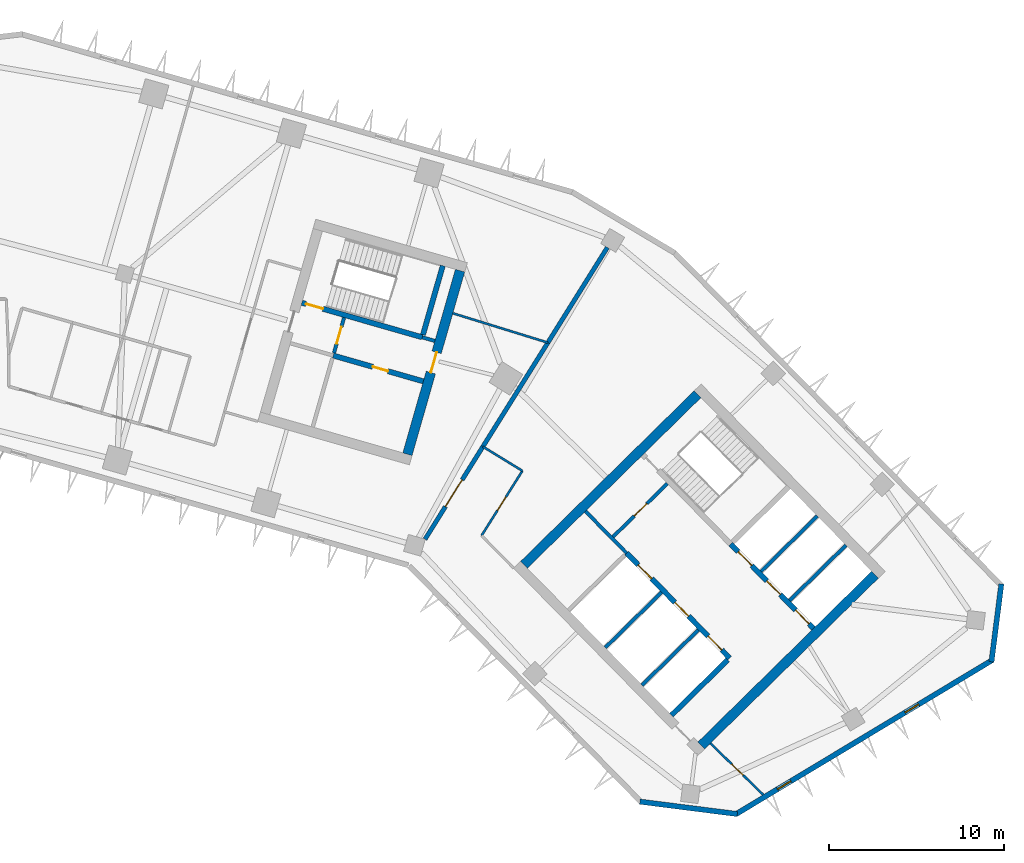
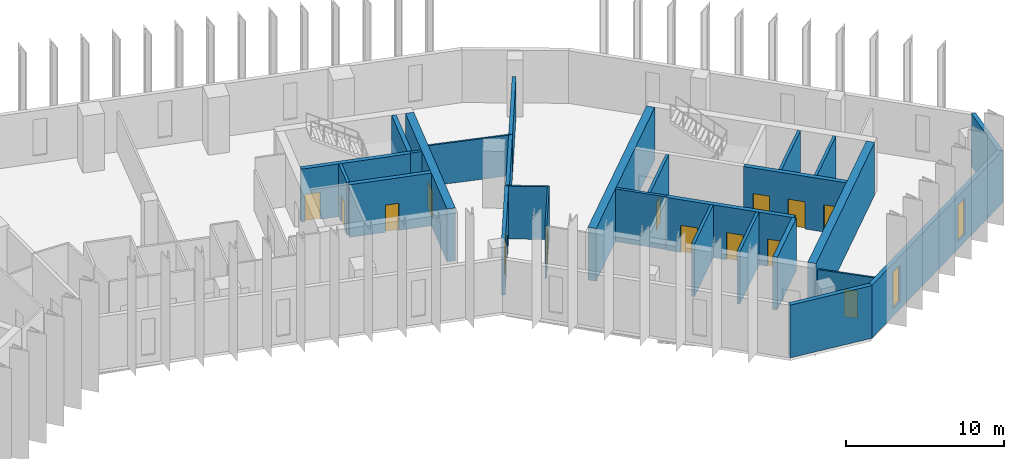
# One storey, part 6 of 11: 27 walls, 14 doors, 2 windows, 16 openings.
"""IFC4 building model written with IfcOpenShell, lengths in metres."""

import ifcopenshell
import ifcopenshell.guid

model = None  # the IFC model being written
_history = None  # IfcOwnerHistory: only IFC2X3 demands one
_inside = {}  # id of a spatial element -> (the spatial element, [elements in it])
_under = {}  # id of a project, library or spatial element -> (it, [spatial elements below it])
_declared = {}  # id of a project -> (the project, [libraries it declares])
_typed = {}  # id of a type object -> (the type object, [elements of that type])
_made_of = {}  # id of a material, layer set ... -> (it, [elements and type objects made of it])


def new_model(schema):
    """Start an empty IFC model of exactly this schema.

    Asked for "IFC4X3", IfcOpenShell would pick the latest addendum, in which some entities
    have other attributes; the version numbers below select the first issue.
    IFC2X3 requires an IfcOwnerHistory on every rooted entity: one is made here for all.
    """
    global model, _history
    if schema == "IFC4X3":
        model = ifcopenshell.file(schema_version=(4, 3, 0, 0))
    else:
        model = ifcopenshell.file(schema=schema)
    _inside.clear()
    _under.clear()
    _declared.clear()
    _typed.clear()
    _made_of.clear()
    _history = None
    if model.schema == "IFC2X3":
        org = make("IfcOrganization", Name="unknown")
        user = make(
            "IfcPersonAndOrganization",
            ThePerson=make("IfcPerson", FamilyName="unknown"),
            TheOrganization=org,
        )
        app = make(
            "IfcApplication",
            ApplicationDeveloper=org,
            Version="unknown",
            ApplicationFullName="unknown",
            ApplicationIdentifier="unknown",
        )
        _history = make(
            "IfcOwnerHistory",
            OwningUser=user,
            OwningApplication=app,
            ChangeAction="ADDED",
            CreationDate=0,
        )
    return model


def make(cls, **values):
    """One entity of the class cls with the attributes given. An attribute that is None is left unset."""
    return model.create_entity(
        cls, **{name: value for name, value in values.items() if value is not None}
    )


def rooted(cls, **values):
    """An entity with a GlobalId (a new one), such as an element, a storey or a relation."""
    return make(cls, GlobalId=ifcopenshell.guid.new(), OwnerHistory=_history, **values)


def si_unit(unit_type, name, prefix=None):
    """IfcSIUnit, for example si_unit("LENGTHUNIT", "METRE", prefix="MILLI")."""
    return make("IfcSIUnit", UnitType=unit_type, Prefix=prefix, Name=name)


def assignment(units):
    """IfcUnitAssignment: the units of a project."""
    return None if units is None else make("IfcUnitAssignment", Units=units)


def point(xyz):
    """IfcCartesianPoint."""
    return None if xyz is None else make("IfcCartesianPoint", Coordinates=xyz)


def direction(xyz):
    """IfcDirection."""
    return None if xyz is None else make("IfcDirection", DirectionRatios=xyz)


def frame(location, z_axis=None, x_axis=None):
    """IfcAxis2Placement3D, a coordinate frame: its origin and axes. An axis left out is left unset."""
    return make(
        "IfcAxis2Placement3D",
        Location=point(location),
        Axis=direction(z_axis),
        RefDirection=direction(x_axis),
    )


def frame_2d(location, x_axis=None):
    """IfcAxis2Placement2D, a coordinate frame in the plane: its origin and x axis."""
    return make(
        "IfcAxis2Placement2D", Location=point(location), RefDirection=direction(x_axis)
    )


def origin():
    """The frame at (0, 0, 0) with its axes left unset."""
    return frame((0.0, 0.0, 0.0))


def place(relative_to, where):
    """IfcLocalPlacement: puts the frame where relative to a parent placement (None: the world)."""
    return make(
        "IfcLocalPlacement", PlacementRelTo=relative_to, RelativePlacement=where
    )


def context(
    kind, dimensions, precision=None, world=None, true_north=None, identifier=None
):
    """IfcGeometricRepresentationContext, for example the 3D "Model" context."""
    return make(
        "IfcGeometricRepresentationContext",
        ContextIdentifier=identifier,
        ContextType=kind,
        CoordinateSpaceDimension=dimensions,
        Precision=precision,
        WorldCoordinateSystem=world,
        TrueNorth=true_north,
    )


def subcontext(parent, identifier, kind, view, scale=None):
    """IfcGeometricRepresentationSubContext, for example "Body" below "Model"."""
    return make(
        "IfcGeometricRepresentationSubContext",
        ContextIdentifier=identifier,
        ContextType=kind,
        ParentContext=parent,
        TargetScale=scale,
        TargetView=view,
    )


def project(units=None, contexts=None):
    """IfcProject with its units and contexts."""
    return rooted(
        "IfcProject",
        Name="project",
        RepresentationContexts=contexts,
        UnitsInContext=assignment(units),
    )


def spatial(cls, under=None, at=None, **own):
    """A site, building, storey or space (cls), placed at a placement, below another one or the project."""
    s = rooted(cls, ObjectPlacement=at, **own)
    if under is not None:
        _under.setdefault(under.id(), (under, []))[1].append(s)
    return s


def profile(cls, at=None, kind="AREA", **sizes):
    """A parametric profile (cls). Its sizes go by their IFC names, for example OverallWidth=200.0."""
    return make(cls, ProfileType=kind, Position=at, **sizes)


def rectangle(**sizes):
    """IfcRectangleProfileDef."""
    return profile("IfcRectangleProfileDef", **sizes)


def extrude(swept, where, along, depth):
    """IfcExtrudedAreaSolid: the profile swept, set in the frame where, extruded along a direction by depth."""
    return make(
        "IfcExtrudedAreaSolid",
        SweptArea=swept,
        Position=where,
        ExtrudedDirection=direction(along),
        Depth=depth,
    )


def shape(context_of_items, identifier, shape_type, items):
    """IfcShapeRepresentation: the items that make up one representation, for example the "Body"."""
    return make(
        "IfcShapeRepresentation",
        ContextOfItems=context_of_items,
        RepresentationIdentifier=identifier,
        RepresentationType=shape_type,
        Items=items,
    )


def material(Name=None, Category=None):
    """IfcMaterial."""
    return make("IfcMaterial", Name=Name, Category=Category)


def layer(
    of_material, thickness, ventilated=None, Name=None, Category=None, Priority=None
):
    """IfcMaterialLayer: one layer of a wall or slab, of a material (None: an air gap)."""
    return make(
        "IfcMaterialLayer",
        Material=of_material,
        LayerThickness=thickness,
        IsVentilated=ventilated,
        Name=Name,
        Category=Category,
        Priority=Priority,
    )


def layer_set(layers, Name=None):
    """IfcMaterialLayerSet."""
    return make("IfcMaterialLayerSet", MaterialLayers=layers, LayerSetName=Name)


def made_of(thing, what):
    """Note that an element or type object is made of a material, layer set ...; save() writes the relation."""
    if what is not None:
        _made_of.setdefault(what.id(), (what, []))[1].append(thing)
    return thing


def type_object(cls, material=None, **own):
    """A type object (cls), such as IfcWallType, which elements share."""
    return made_of(rooted(cls, **own), material)


def element(
    cls,
    number,
    at=None,
    inside=None,
    cuts=None,
    type_object=None,
    material=None,
    context=None,
    identifier="Body",
    shape_type=None,
    held_by="IfcProductDefinitionShape",
    body=None,
    shapes=None,
    **own,
):
    """One element of the class cls, such as IfcWall. Its Tag is "e" and its number.

    at: its placement. inside: the storey or other place that contains it. cuts: it is an
    opening in that element (IfcRelVoidsElement). A single representation is given by context,
    identifier, shape_type and body (its items); several are given by shapes. held_by: the class
    of the entity that holds the representations. save() writes the other relations.
    """
    e = rooted(cls, Tag="e%d" % number, ObjectPlacement=at, **own)
    if body is not None:
        shapes = [shape(context, identifier, shape_type, body)]
    if shapes is not None:
        e.Representation = make(held_by, Representations=shapes)
    if inside is not None:
        _inside.setdefault(inside.id(), (inside, []))[1].append(e)
    if cuts is not None:
        rooted(
            "IfcRelVoidsElement", RelatingBuildingElement=cuts, RelatedOpeningElement=e
        )
    if type_object is not None:
        _typed.setdefault(type_object.id(), (type_object, []))[1].append(e)
    return made_of(e, material)


def fill(opening, filler):
    """IfcRelFillsElement: the door or window that sits in an opening."""
    return rooted(
        "IfcRelFillsElement",
        RelatingOpeningElement=opening,
        RelatedBuildingElement=filler,
    )


def aggregate(whole, parts):
    """IfcRelAggregates: a whole, such as a stair, and the parts it consists of."""
    return rooted("IfcRelAggregates", RelatingObject=whole, RelatedObjects=parts)


def save(model, path):
    """Write the relations noted so far, then the file.

    IfcRelAggregates (storeys below a building ...), IfcRelContainedInSpatialStructure (elements
    in a storey), IfcRelDefinesByType, IfcRelAssociatesMaterial and IfcRelDeclares: one each for
    every whole, place, type object, material and project.
    """
    for whole, parts in _under.values():
        aggregate(whole, parts)
    for where, things in _inside.values():
        rooted(
            "IfcRelContainedInSpatialStructure",
            RelatedElements=things,
            RelatingStructure=where,
        )
    for kind, things in _typed.values():
        rooted("IfcRelDefinesByType", RelatedObjects=things, RelatingType=kind)
    for what, things in _made_of.values():
        rooted("IfcRelAssociatesMaterial", RelatedObjects=things, RelatingMaterial=what)
    for by, libraries in _declared.values():
        rooted("IfcRelDeclares", RelatingContext=by, RelatedDefinitions=libraries)
    model.write(path)


model = new_model("IFC4")

# Units and contexts
model_context = context("Model", 3, precision=1e-05, world=origin(), true_north=direction((0.0, 1.0)))
body_context = subcontext(model_context, "Body", "Model", "MODEL_VIEW")
ifc_project = project(units=[si_unit("LENGTHUNIT", "METRE"), si_unit("AREAUNIT", "SQUARE_METRE"), si_unit("VOLUMEUNIT", "CUBIC_METRE"), si_unit("PLANEANGLEUNIT", "RADIAN"), si_unit("MASSUNIT", "GRAM", prefix="KILO")], contexts=[model_context])

# Site, building, storey
site_placement = place(None, origin())
site = spatial("IfcSite", under=ifc_project, at=site_placement, CompositionType="ELEMENT")
building_placement = place(site_placement, origin())
building = spatial("IfcBuilding", under=site, at=building_placement, Name="Binnacle Exchange Tower", CompositionType="ELEMENT")
storey_placement = place(building_placement, frame((0.0, 0.0, 141.10009765625)))
storey = spatial("IfcBuildingStorey", under=building, at=storey_placement, Name="L29", CompositionType="ELEMENT", Elevation=141.10009765625)

# Wall, openings, doors
ifc_material_1 = material(Name="Concrete C70/85", Category="concrete")
ifc_layer_1 = layer(ifc_material_1, 0.300048828125)
ifc_layer_set_1 = layer_set([ifc_layer_1], Name="Core wall - front 300")
wall_type_1 = type_object("IfcWallType", Name="Core wall - front 300", PredefinedType="SOLIDWALL", material=ifc_layer_set_1)
wall_1_placement = place(storey_placement, frame((37.8740234375, 41.41552734375, 0.0), z_axis=(0.0, 0.0, 1.0), x_axis=(0.700918271237, -0.71324159795, 0.0)))
wall_1 = element("IfcWall", 1, at=wall_1_placement, inside=storey, type_object=wall_type_1, Name="Core wall CRWB3", PredefinedType="SOLIDWALL", context=body_context, shape_type="SweptSolid", body=[
    extrude(rectangle(XDim=8.39990234375, YDim=0.300048828125, at=frame_2d((4.199951171875, 0.0))), origin(), (0.0, 0.0, 1.0), 4.079833984375),
])
opening_1_placement = place(wall_1_placement, frame((0.949951171875, 0.0, 0.0)))
opening_1 = element("IfcOpeningElement", 2, at=opening_1_placement, cuts=wall_1, Name="Opening LD15", PredefinedType="OPENING", context=body_context, shape_type="SweptSolid", body=[
    extrude(rectangle(XDim=1.10009765625, YDim=2.10009765625, at=frame_2d((0.550048828125, 1.050048828125))), frame((0.0, 0.159912109375, 0.0), z_axis=(0.0, -1.0, 0.0), x_axis=(1.0, 0.0, 0.0)), (0.0, 0.0, 1.0), 0.320068359375),
])
opening_2_placement = place(wall_1_placement, frame((3.949951171875, 0.0, 0.0)))
opening_2 = element("IfcOpeningElement", 3, at=opening_2_placement, cuts=wall_1, Name="Opening LD16", PredefinedType="OPENING", context=body_context, shape_type="SweptSolid", body=[
    extrude(rectangle(XDim=1.10009765625, YDim=2.10009765625, at=frame_2d((0.550048828125, 1.050048828125))), frame((0.0, 0.159912109375, 0.0), z_axis=(0.0, -1.0, 0.0), x_axis=(1.0, 0.0, 0.0)), (0.0, 0.0, 1.0), 0.320068359375),
])
opening_3_placement = place(wall_1_placement, frame((6.64990234375, 0.0, 0.0)))
opening_3 = element("IfcOpeningElement", 4, at=opening_3_placement, cuts=wall_1, Name="Opening LD4", PredefinedType="OPENING", context=body_context, shape_type="SweptSolid", body=[
    extrude(rectangle(XDim=1.10009765625, YDim=2.10009765625, at=frame_2d((0.550048828125, 1.050048828125))), frame((0.0, 0.159912109375, 0.0), z_axis=(0.0, -1.0, 0.0), x_axis=(1.0, 0.0, 0.0)), (0.0, 0.0, 1.0), 0.320068359375),
])
ifc_material_2 = material(Name="Steel door leaf", Category="steel")
door_type_1 = type_object("IfcDoorType", Name="Fire door - lift landing 1100", OperationType="NOTDEFINED", PredefinedType="DOOR", material=ifc_material_2)
door_1_placement = place(opening_1_placement, origin())
door_1 = element("IfcDoor", 5, at=door_1_placement, inside=storey, type_object=door_type_1, Name="Landing door LD15 L29", OperationType="DOUBLE_DOOR_SLIDING", OverallHeight=2.10009765625, OverallWidth=1.10009765625, PredefinedType="DOOR", context=body_context, shape_type="SweptSolid", body=[
    extrude(rectangle(XDim=1.10009765625, YDim=2.10009765625, at=frame_2d((0.550048828125, 1.050048828125))), frame((0.0, 0.02490234375, 0.0), z_axis=(0.0, -1.0, 0.0), x_axis=(1.0, 0.0, 0.0)), (0.0, 0.0, 1.0), 0.050048828125),
])
fill(opening_1, door_1)
door_2_placement = place(opening_2_placement, origin())
door_2 = element("IfcDoor", 6, at=door_2_placement, inside=storey, type_object=door_type_1, Name="Landing door LD16 L29", OperationType="DOUBLE_DOOR_SLIDING", OverallHeight=2.10009765625, OverallWidth=1.10009765625, PredefinedType="DOOR", context=body_context, shape_type="SweptSolid", body=[
    extrude(rectangle(XDim=1.10009765625, YDim=2.10009765625, at=frame_2d((0.550048828125, 1.050048828125))), frame((0.0, 0.02490234375, 0.0), z_axis=(0.0, -1.0, 0.0), x_axis=(1.0, 0.0, 0.0)), (0.0, 0.0, 1.0), 0.050048828125),
])
fill(opening_2, door_2)
door_3_placement = place(opening_3_placement, origin())
door_3 = element("IfcDoor", 7, at=door_3_placement, inside=storey, type_object=door_type_1, Name="Landing door LD4 L29", OperationType="DOUBLE_DOOR_SLIDING", OverallHeight=2.10009765625, OverallWidth=1.10009765625, PredefinedType="DOOR", context=body_context, shape_type="SweptSolid", body=[
    extrude(rectangle(XDim=1.10009765625, YDim=2.10009765625, at=frame_2d((0.550048828125, 1.050048828125))), frame((0.0, 0.02490234375, 0.0), z_axis=(0.0, -1.0, 0.0), x_axis=(1.0, 0.0, 0.0)), (0.0, 0.0, 1.0), 0.050048828125),
])
fill(opening_3, door_3)

wall_2_placement = place(storey_placement, frame((43.818603515625, 41.92919921875, 0.0), z_axis=(0.0, 0.0, 1.0), x_axis=(0.700931209592, -0.713228882912, 0.0)))
wall_2 = element("IfcWall", 8, at=wall_2_placement, inside=storey, type_object=wall_type_1, Name="Core wall CRWB5", PredefinedType="SOLIDWALL", context=body_context, shape_type="SweptSolid", body=[
    extrude(rectangle(XDim=6.75, YDim=0.300048828125, at=frame_2d((3.375, 0.0))), origin(), (0.0, 0.0, 1.0), 4.079833984375),
])
opening_4_placement = place(wall_2_placement, frame((0.614990234375, 0.0, 0.0)))
opening_4 = element("IfcOpeningElement", 9, at=opening_4_placement, cuts=wall_2, Name="Opening LD1", PredefinedType="OPENING", context=body_context, shape_type="SweptSolid", body=[
    extrude(rectangle(XDim=1.10009765625, YDim=2.10009765625, at=frame_2d((0.550048828125, 1.050048828125))), frame((0.0, 0.159912109375, 0.0), z_axis=(0.0, -1.0, 0.0), x_axis=(1.0, 0.0, 0.0)), (0.0, 0.0, 1.0), 0.320068359375),
])
opening_5_placement = place(wall_2_placement, frame((2.945068359375, 0.0, 0.0)))
opening_5 = element("IfcOpeningElement", 10, at=opening_5_placement, cuts=wall_2, Name="Opening LD2", PredefinedType="OPENING", context=body_context, shape_type="SweptSolid", body=[
    extrude(rectangle(XDim=1.10009765625, YDim=2.10009765625, at=frame_2d((0.550048828125, 1.050048828125))), frame((0.0, 0.159912109375, 0.0), z_axis=(0.0, -1.0, 0.0), x_axis=(1.0, 0.0, 0.0)), (0.0, 0.0, 1.0), 0.320068359375),
])
opening_6_placement = place(wall_2_placement, frame((5.280029296875, 0.0, 0.0)))
opening_6 = element("IfcOpeningElement", 11, at=opening_6_placement, cuts=wall_2, Name="Opening LD3", PredefinedType="OPENING", context=body_context, shape_type="SweptSolid", body=[
    extrude(rectangle(XDim=1.10009765625, YDim=2.10009765625, at=frame_2d((0.550048828125, 1.050048828125))), frame((0.0, 0.159912109375, 0.0), z_axis=(0.0, -1.0, 0.0), x_axis=(1.0, 0.0, 0.0)), (0.0, 0.0, 1.0), 0.320068359375),
])
door_4_placement = place(opening_4_placement, origin())
door_4 = element("IfcDoor", 12, at=door_4_placement, inside=storey, type_object=door_type_1, Name="Landing door LD1 L29", OperationType="DOUBLE_DOOR_SLIDING", OverallHeight=2.10009765625, OverallWidth=1.10009765625, PredefinedType="DOOR", context=body_context, shape_type="SweptSolid", body=[
    extrude(rectangle(XDim=1.10009765625, YDim=2.10009765625, at=frame_2d((0.550048828125, 1.050048828125))), frame((0.0, 0.02490234375, 0.0), z_axis=(0.0, -1.0, 0.0), x_axis=(1.0, 0.0, 0.0)), (0.0, 0.0, 1.0), 0.050048828125),
])
fill(opening_4, door_4)
door_5_placement = place(opening_5_placement, origin())
door_5 = element("IfcDoor", 13, at=door_5_placement, inside=storey, type_object=door_type_1, Name="Landing door LD2 L29", OperationType="DOUBLE_DOOR_SLIDING", OverallHeight=2.10009765625, OverallWidth=1.10009765625, PredefinedType="DOOR", context=body_context, shape_type="SweptSolid", body=[
    extrude(rectangle(XDim=1.10009765625, YDim=2.10009765625, at=frame_2d((0.550048828125, 1.050048828125))), frame((0.0, 0.02490234375, 0.0), z_axis=(0.0, -1.0, 0.0), x_axis=(1.0, 0.0, 0.0)), (0.0, 0.0, 1.0), 0.050048828125),
])
fill(opening_5, door_5)
door_6_placement = place(opening_6_placement, origin())
door_6 = element("IfcDoor", 14, at=door_6_placement, inside=storey, type_object=door_type_1, Name="Landing door LD3 L29", OperationType="DOUBLE_DOOR_SLIDING", OverallHeight=2.10009765625, OverallWidth=1.10009765625, PredefinedType="DOOR", context=body_context, shape_type="SweptSolid", body=[
    extrude(rectangle(XDim=1.10009765625, YDim=2.10009765625, at=frame_2d((0.550048828125, 1.050048828125))), frame((0.0, 0.02490234375, 0.0), z_axis=(0.0, -1.0, 0.0), x_axis=(1.0, 0.0, 0.0)), (0.0, 0.0, 1.0), 0.050048828125),
])
fill(opening_6, door_6)

# Wall
wall_3_placement = place(storey_placement, frame((40.445068359375, 32.1650390625, 0.0), z_axis=(0.0, 0.0, 1.0), x_axis=(0.713264577552, 0.700894886848, 0.0)))
element("IfcWall", 15, at=wall_3_placement, inside=storey, type_object=wall_type_1, Name="Core wall CRWB14", PredefinedType="SOLIDWALL", context=body_context, shape_type="SweptSolid", body=[
    extrude(rectangle(XDim=4.5, YDim=0.300048828125, at=frame_2d((2.25, 0.0))), origin(), (0.0, 0.0, 1.0), 4.079833984375),
])

# Wall, opening, door
wall_4_placement = place(storey_placement, frame((21.130859375, 52.6923828125, 0.0), z_axis=(0.0, 0.0, 1.0), x_axis=(0.961265220997, -0.27562506218, 0.0)))
wall_4 = element("IfcWall", 16, at=wall_4_placement, inside=storey, type_object=wall_type_1, Name="Core wall CRWD3", PredefinedType="SOLIDWALL", context=body_context, shape_type="SweptSolid", body=[
    extrude(rectangle(XDim=5.35009765625, YDim=0.300048828125, at=frame_2d((2.675048828125, 0.0))), origin(), (0.0, 0.0, 1.0), 4.079833984375),
])
opening_7_placement = place(wall_4_placement, frame((2.35009765625, 0.0, 0.0)))
opening_7 = element("IfcOpeningElement", 17, at=opening_7_placement, cuts=wall_4, Name="Opening DD10", PredefinedType="OPENING", context=body_context, shape_type="SweptSolid", body=[
    extrude(rectangle(XDim=0.89990234375, YDim=2.10009765625, at=frame_2d((0.449951171875, 1.050048828125))), frame((0.0, 0.159912109375, 0.0), z_axis=(0.0, -1.0, 0.0), x_axis=(1.0, 0.0, 0.0)), (0.0, 0.0, 1.0), 0.320068359375),
])
door_type_2 = type_object("IfcDoorType", Name="Fire door 900", OperationType="NOTDEFINED", PredefinedType="DOOR", material=ifc_material_2)
door_7_placement = place(opening_7_placement, frame((0.89990234375, 0.0, 0.0), z_axis=(0.0, 0.0, 1.0), x_axis=(-1.0, 0.0, 0.0)))
door_7 = element("IfcDoor", 18, at=door_7_placement, inside=storey, type_object=door_type_2, Name="Core room door TELECOM RISER ROOM", OperationType="SINGLE_SWING_LEFT", OverallHeight=2.10009765625, OverallWidth=0.89990234375, PredefinedType="DOOR", context=body_context, shape_type="SweptSolid", body=[
    extrude(rectangle(XDim=0.89990234375, YDim=2.10009765625, at=frame_2d((0.449951171875, 1.050048828125))), frame((0.0, 0.02490234375, 0.0), z_axis=(0.0, -1.0, 0.0), x_axis=(1.0, 0.0, 0.0)), (0.0, 0.0, 1.0), 0.050048828125),
])
fill(opening_7, door_7)

# Walls
ifc_layer_2 = layer(ifc_material_1, 0.550048828125)
ifc_layer_set_2 = layer_set([ifc_layer_2], Name="Core wall - outer 550")
wall_type_2 = type_object("IfcWallType", Name="Core wall - outer 550", PredefinedType="SOLIDWALL", material=ifc_layer_set_2)
for number, where, z_axis, x_axis, name in (
    (19, (32.0166015625, 40.74169921875, 0.0), (0.0, 0.0, 1.0), (0.713253550094, 0.700906108746, 0.0), "Core wall CRWB7"),
    (20, (42.144775390625, 30.435302734375, 0.0), (0.0, 0.0, 1.0), (0.713253550094, 0.700906108746, 0.0), "Core wall CRWB16"),
):
    element("IfcWall", number, at=place(storey_placement, frame(where, z_axis=z_axis, x_axis=x_axis)), inside=storey, type_object=wall_type_2, Name=name, PredefinedType="SOLIDWALL", context=body_context, shape_type="SweptSolid", body=[
        extrude(rectangle(XDim=13.900146484375, YDim=0.550048828125, at=frame_2d((6.9501953125, 0.0))), origin(), (0.0, 0.0, 1.0), 4.079833984375),
    ])

# Wall, opening, door
wall_5_placement = place(storey_placement, frame((25.366455078125, 47.056640625, 0.0), z_axis=(0.0, 0.0, 1.0), x_axis=(0.275632146085, 0.96126318979, 0.0)))
wall_5 = element("IfcWall", 21, at=wall_5_placement, inside=storey, type_object=wall_type_2, Name="Core wall CRWD12", PredefinedType="SOLIDWALL", context=body_context, shape_type="SweptSolid", body=[
    extrude(rectangle(XDim=10.89990234375, YDim=0.550048828125, at=frame_2d((5.449951171875, 0.0))), origin(), (0.0, 0.0, 1.0), 4.079833984375),
])
opening_8_placement = place(wall_5_placement, frame((4.849853515625, 0.0, 0.0)))
opening_8 = element("IfcOpeningElement", 22, at=opening_8_placement, cuts=wall_5, Name="Opening DD6", PredefinedType="OPENING", context=body_context, shape_type="SweptSolid", body=[
    extrude(rectangle(XDim=1.199951171875, YDim=2.10009765625, at=frame_2d((0.60009765625, 1.050048828125))), frame((0.0, 0.284912109375, 0.0), z_axis=(0.0, -1.0, 0.0), x_axis=(1.0, 0.0, 0.0)), (0.0, 0.0, 1.0), 0.570068359375),
])
door_type_3 = type_object("IfcDoorType", Name="Fire door 1200", OperationType="NOTDEFINED", PredefinedType="DOOR", material=ifc_material_2)
door_8_placement = place(opening_8_placement, frame((1.199951171875, 0.0, 0.0), z_axis=(0.0, 0.0, 1.0), x_axis=(-1.0, 0.0, 0.0)))
door_8 = element("IfcDoor", 23, at=door_8_placement, inside=storey, type_object=door_type_3, Name="Core passage exit door", OperationType="SINGLE_SWING_RIGHT", OverallHeight=2.10009765625, OverallWidth=1.199951171875, PredefinedType="DOOR", context=body_context, shape_type="SweptSolid", body=[
    extrude(rectangle(XDim=1.199951171875, YDim=2.10009765625, at=frame_2d((0.60009765625, 1.050048828125))), frame((0.0, 0.02490234375, 0.0), z_axis=(0.0, -1.0, 0.0), x_axis=(1.0, 0.0, 0.0)), (0.0, 0.0, 1.0), 0.050048828125),
])
fill(opening_8, door_8)

ifc_layer_3 = layer(ifc_material_1, 0.300048828125)
ifc_layer_set_3 = layer_set([ifc_layer_3], Name="Core wall - stair 300")
wall_type_3 = type_object("IfcWallType", Name="Core wall - stair 300", PredefinedType="SOLIDWALL", material=ifc_layer_set_3)
wall_6_placement = place(storey_placement, frame((19.34130859375, 55.702392578125, 0.0), z_axis=(0.0, 0.0, 1.0), x_axis=(0.961263228157, -0.27563201228, 0.0)))
wall_6 = element("IfcWall", 24, at=wall_6_placement, inside=storey, type_object=wall_type_3, Name="Core wall CRWD4", PredefinedType="SOLIDWALL", context=body_context, shape_type="SweptSolid", body=[
    extrude(rectangle(XDim=7.149658203125, YDim=0.300048828125, at=frame_2d((3.57470703125, 0.0))), origin(), (0.0, 0.0, 1.0), 4.079833984375),
])
opening_9_placement = place(wall_6_placement, frame((0.25, 0.0, 0.0)))
opening_9 = element("IfcOpeningElement", 25, at=opening_9_placement, cuts=wall_6, Name="Opening DD1", PredefinedType="OPENING", context=body_context, shape_type="SweptSolid", body=[
    extrude(rectangle(XDim=1.0, YDim=2.10009765625, at=frame_2d((0.5, 1.050048828125))), frame((0.0, 0.159912109375, 0.0), z_axis=(0.0, -1.0, 0.0), x_axis=(1.0, 0.0, 0.0)), (0.0, 0.0, 1.0), 0.320068359375),
])
door_type_4 = type_object("IfcDoorType", Name="Fire door 1000", OperationType="NOTDEFINED", PredefinedType="DOOR", material=ifc_material_2)
door_9_placement = place(opening_9_placement, origin())
door_9 = element("IfcDoor", 26, at=door_9_placement, inside=storey, type_object=door_type_4, Name="Stair door ST-D1", OperationType="SINGLE_SWING_LEFT", OverallHeight=2.10009765625, OverallWidth=1.0, PredefinedType="DOOR", context=body_context, shape_type="SweptSolid", body=[
    extrude(rectangle(XDim=1.0, YDim=2.10009765625, at=frame_2d((0.5, 1.050048828125))), frame((0.0, 0.02490234375, 0.0), z_axis=(0.0, -1.0, 0.0), x_axis=(1.0, 0.0, 0.0)), (0.0, 0.0, 1.0), 0.050048828125),
])
fill(opening_9, door_9)

# Walls
wall_7_placement = place(storey_placement, frame((26.255615234375, 53.875732421875, 0.0), z_axis=(0.0, 0.0, 1.0), x_axis=(0.275641165445, 0.961260603537, 0.0)))
element("IfcWall", 27, at=wall_7_placement, inside=storey, type_object=wall_type_3, Name="Core wall CRWD11", PredefinedType="SOLIDWALL", context=body_context, shape_type="SweptSolid", body=[
    extrude(rectangle(XDim=4.10009765625, YDim=0.300048828125, at=frame_2d((2.050048828125, 0.0))), origin(), (0.0, 0.0, 1.0), 4.079833984375),
])
ifc_material_3 = material(Name="Bronze aluminium cladding", Category="aluminium")
ifc_layer_4 = layer(ifc_material_3, 0.300048828125)
ifc_layer_set_4 = layer_set([ifc_layer_4], Name="External wall - spandrel 300")
wall_type_4 = type_object("IfcWallType", Name="External wall - spandrel 300", PredefinedType="STANDARD", material=ifc_layer_set_4)
wall_8_placement = place(storey_placement, frame((44.19580078125, 26.517822265625, 0.0), z_axis=(0.0, 0.0, 1.0), x_axis=(-0.992001881269, 0.126223086474, 0.0)))
element("IfcWall", 28, at=wall_8_placement, inside=storey, type_object=wall_type_4, Name="External wall EW-F10 L29", PredefinedType="STANDARD", context=body_context, shape_type="SweptSolid", body=[
    extrude(rectangle(XDim=5.6015625, YDim=0.300048828125, at=frame_2d((2.80078125, 0.0))), origin(), (0.0, 0.0, 1.0), 4.079833984375),
])

# Wall, openings, windows
wall_9_placement = place(storey_placement, frame((58.7783203125, 35.317626953125, 0.0), z_axis=(0.0, 0.0, 1.0), x_axis=(-0.857168206138, -0.515036568009, 0.0)))
wall_9 = element("IfcWall", 29, at=wall_9_placement, inside=storey, type_object=wall_type_4, Name="External wall EW-F11 L29", PredefinedType="STANDARD", context=body_context, shape_type="SweptSolid", body=[
    extrude(rectangle(XDim=17.124755859375, YDim=0.300048828125, at=frame_2d((8.5625, 0.0))), origin(), (0.0, 0.0, 1.0), 4.079833984375),
])
opening_10_placement = place(wall_9_placement, frame((13.435302734375, 0.0, 0.60009765625)))
opening_10 = element("IfcOpeningElement", 30, at=opening_10_placement, cuts=wall_9, Name="Opening WS2", PredefinedType="OPENING", context=body_context, shape_type="SweptSolid", body=[
    extrude(rectangle(XDim=0.89990234375, YDim=2.800048828125, at=frame_2d((0.449951171875, 1.39990234375))), frame((0.0, 0.159912109375, 0.0), z_axis=(0.0, -1.0, 0.0), x_axis=(1.0, 0.0, 0.0)), (0.0, 0.0, 1.0), 0.320068359375),
])
opening_11_placement = place(wall_9_placement, frame((4.935302734375, 0.0, 0.60009765625)))
opening_11 = element("IfcOpeningElement", 31, at=opening_11_placement, cuts=wall_9, Name="Opening WS2", PredefinedType="OPENING", context=body_context, shape_type="SweptSolid", body=[
    extrude(rectangle(XDim=0.89990234375, YDim=2.800048828125, at=frame_2d((0.449951171875, 1.39990234375))), frame((0.0, 0.159912109375, 0.0), z_axis=(0.0, -1.0, 0.0), x_axis=(1.0, 0.0, 0.0)), (0.0, 0.0, 1.0), 0.320068359375),
])
ifc_material_4 = material(Name="Bronze anodised aluminium frame", Category="aluminium")
window_type = type_object("IfcWindowType", Name="WS2 WINDOW 900x2800", PartitioningType="SINGLE_PANEL", PredefinedType="WINDOW", material=ifc_material_4)
window_1_placement = place(opening_10_placement, origin())
window_1 = element("IfcWindow", 32, at=window_1_placement, inside=storey, type_object=window_type, Name="Window WS2 L29", OverallHeight=2.800048828125, OverallWidth=0.89990234375, PartitioningType="SINGLE_PANEL", PredefinedType="WINDOW", context=body_context, shape_type="SweptSolid", body=[
    extrude(rectangle(XDim=0.89990234375, YDim=2.800048828125, at=frame_2d((0.449951171875, 1.39990234375))), frame((0.0, 0.030029296875, 0.0), z_axis=(0.0, -1.0, 0.0), x_axis=(1.0, 0.0, 0.0)), (0.0, 0.0, 1.0), 0.06005859375),
])
fill(opening_10, window_1)
window_2_placement = place(opening_11_placement, origin())
window_2 = element("IfcWindow", 33, at=window_2_placement, inside=storey, type_object=window_type, Name="Window WS2 L29", OverallHeight=2.800048828125, OverallWidth=0.89990234375, PartitioningType="SINGLE_PANEL", PredefinedType="WINDOW", context=body_context, shape_type="SweptSolid", body=[
    extrude(rectangle(XDim=0.89990234375, YDim=2.800048828125, at=frame_2d((0.449951171875, 1.39990234375))), frame((0.0, 0.030029296875, 0.0), z_axis=(0.0, -1.0, 0.0), x_axis=(1.0, 0.0, 0.0)), (0.0, 0.0, 1.0), 0.06005859375),
])
fill(opening_11, window_2)

# Wall
wall_10_placement = place(storey_placement, frame((59.27197265625, 39.6513671875, 0.0), z_axis=(0.0, 0.0, 1.0), x_axis=(-0.126181137886, -0.992007217938, 0.0)))
element("IfcWall", 34, at=wall_10_placement, inside=storey, type_object=wall_type_4, Name="External wall EW-F12 L29", PredefinedType="STANDARD", context=body_context, shape_type="SweptSolid", body=[
    extrude(rectangle(XDim=4.479248046875, YDim=0.300048828125, at=frame_2d((2.23974609375, 0.0))), origin(), (0.0, 0.0, 1.0), 4.079833984375),
])

# Wall, opening, door
ifc_material_5 = material(Name="Concrete fire wall C30/37", Category="concrete")
ifc_layer_5 = layer(ifc_material_5, 0.25)
ifc_layer_set_5 = layer_set([ifc_layer_5], Name="Fire wall - compartment 250")
wall_type_5 = type_object("IfcWallType", Name="Fire wall - compartment 250", PredefinedType="PARTITIONING", material=ifc_layer_set_5)
wall_11_placement = place(storey_placement, frame((26.373046875, 42.2060546875, 0.0), z_axis=(0.0, 0.0, 1.0), x_axis=(0.52987567935, 0.848075329457, 0.0)))
wall_11 = element("IfcWall", 35, at=wall_11_placement, inside=storey, type_object=wall_type_5, Name="Fire Wall W33", PredefinedType="PARTITIONING", context=body_context, shape_type="SweptSolid", body=[
    extrude(rectangle(XDim=6.231689453125, YDim=0.25, at=frame_2d((3.11572265625, 0.0))), origin(), (0.0, 0.0, 1.0), 4.079833984375),
])
opening_12_placement = place(wall_11_placement, frame((2.199951171875, 0.0, 0.0)))
opening_12 = element("IfcOpeningElement", 36, at=opening_12_placement, cuts=wall_11, Name="Opening DL28-12", PredefinedType="OPENING", context=body_context, shape_type="SweptSolid", body=[
    extrude(rectangle(XDim=1.800048828125, YDim=2.10009765625, at=frame_2d((0.89990234375, 1.050048828125))), frame((0.0, 0.135009765625, 0.0), z_axis=(0.0, -1.0, 0.0), x_axis=(1.0, 0.0, 0.0)), (0.0, 0.0, 1.0), 0.27001953125),
])
door_type_5 = type_object("IfcDoorType", Name="Fire door 1800", OperationType="NOTDEFINED", PredefinedType="DOOR", material=ifc_material_2)
door_10_placement = place(opening_12_placement, origin())
door_10 = element("IfcDoor", 37, at=door_10_placement, inside=storey, type_object=door_type_5, Name="Door DL28-12", OperationType="DOUBLE_DOOR_SINGLE_SWING", OverallHeight=2.10009765625, OverallWidth=1.800048828125, PredefinedType="DOOR", context=body_context, shape_type="SweptSolid", body=[
    extrude(rectangle(XDim=1.800048828125, YDim=2.10009765625, at=frame_2d((0.89990234375, 1.050048828125))), frame((0.0, 0.02490234375, 0.0), z_axis=(0.0, -1.0, 0.0), x_axis=(1.0, 0.0, 0.0)), (0.0, 0.0, 1.0), 0.050048828125),
])
fill(opening_12, door_10)

# Walls
wall_12_placement = place(storey_placement, frame((29.675048828125, 47.490966796875, 0.0), z_axis=(0.0, 0.0, 1.0), x_axis=(0.529992669945, 0.848002222759, 0.0)))
element("IfcWall", 38, at=wall_12_placement, inside=storey, type_object=wall_type_5, Name="Fire Wall W38", PredefinedType="PARTITIONING", context=body_context, shape_type="SweptSolid", body=[
    extrude(rectangle(XDim=7.0, YDim=0.25, at=frame_2d((3.5, 0.0))), origin(), (0.0, 0.0, 1.0), 3.141845703125),
])
wall_13_placement = place(storey_placement, frame((33.385009765625, 53.427001953125, 0.0), z_axis=(0.0, 0.0, 1.0), x_axis=(0.52989620904, 0.848062502204, 0.0)))
element("IfcWall", 39, at=wall_13_placement, inside=storey, type_object=wall_type_5, Name="Fire Wall W39", PredefinedType="PARTITIONING", context=body_context, shape_type="SweptSolid", body=[
    extrude(rectangle(XDim=6.40869140625, YDim=0.25, at=frame_2d((3.204345703125, 0.0))), origin(), (0.0, 0.0, 1.0), 3.141845703125),
])

# Wall, opening, door
ifc_material_6 = material(Name="Masonry block wall", Category="masonry")
ifc_layer_6 = layer(ifc_material_6, 0.199951171875)
ifc_layer_set_6 = layer_set([ifc_layer_6], Name="Fire wall - vestibule 200")
wall_type_6 = type_object("IfcWallType", Name="Fire wall - vestibule 200", PredefinedType="PARTITIONING", material=ifc_layer_set_6)
wall_14_placement = place(storey_placement, frame((37.104248046875, 42.341552734375, 0.0), z_axis=(0.0, 0.0, 1.0), x_axis=(0.713281298468, 0.700877870428, 0.0)))
wall_14 = element("IfcWall", 40, at=wall_14_placement, inside=storey, type_object=wall_type_6, Name="Core wall CRWB8", PredefinedType="PARTITIONING", context=body_context, shape_type="SweptSolid", body=[
    extrude(rectangle(XDim=4.35009765625, YDim=0.199951171875, at=frame_2d((2.175048828125, 0.0))), origin(), (0.0, 0.0, 1.0), 4.079833984375),
])
opening_13_placement = place(wall_14_placement, frame((1.699951171875, 0.0, 0.0)))
opening_13 = element("IfcOpeningElement", 41, at=opening_13_placement, cuts=wall_14, Name="Opening DB3", PredefinedType="OPENING", context=body_context, shape_type="SweptSolid", body=[
    extrude(rectangle(XDim=1.0, YDim=2.10009765625, at=frame_2d((0.5, 1.050048828125))), frame((0.0, 0.10986328125, 0.0), z_axis=(0.0, -1.0, 0.0), x_axis=(1.0, 0.0, 0.0)), (0.0, 0.0, 1.0), 0.219970703125),
])
door_11_placement = place(opening_13_placement, origin())
door_11 = element("IfcDoor", 42, at=door_11_placement, inside=storey, type_object=door_type_4, Name="Vestibule door VEST-W", OperationType="SINGLE_SWING_RIGHT", OverallHeight=2.10009765625, OverallWidth=1.0, PredefinedType="DOOR", context=body_context, shape_type="SweptSolid", body=[
    extrude(rectangle(XDim=1.0, YDim=2.10009765625, at=frame_2d((0.5, 1.050048828125))), frame((0.0, 0.02490234375, 0.0), z_axis=(0.0, -1.0, 0.0), x_axis=(1.0, 0.0, 0.0)), (0.0, 0.0, 1.0), 0.050048828125),
])
fill(opening_13, door_11)

wall_15_placement = place(storey_placement, frame((21.172119140625, 52.836669921875, 0.0), z_axis=(0.0, 0.0, 1.0), x_axis=(0.275657676022, 0.961255868981, 0.0)))
wall_15 = element("IfcWall", 43, at=wall_15_placement, inside=storey, type_object=wall_type_6, Name="Core wall CRWD9", PredefinedType="PARTITIONING", context=body_context, shape_type="SweptSolid", body=[
    extrude(rectangle(XDim=2.099853515625, YDim=0.199951171875, at=frame_2d((1.0498046875, 0.0))), origin(), (0.0, 0.0, 1.0), 4.079833984375),
])
opening_14_placement = place(wall_15_placement, frame((0.550048828125, 0.0, 0.0)))
opening_14 = element("IfcOpeningElement", 44, at=opening_14_placement, cuts=wall_15, Name="Opening DD3", PredefinedType="OPENING", context=body_context, shape_type="SweptSolid", body=[
    extrude(rectangle(XDim=1.0, YDim=2.10009765625, at=frame_2d((0.5, 1.050048828125))), frame((0.0, 0.10986328125, 0.0), z_axis=(0.0, -1.0, 0.0), x_axis=(1.0, 0.0, 0.0)), (0.0, 0.0, 1.0), 0.219970703125),
])
door_12_placement = place(opening_14_placement, origin())
door_12 = element("IfcDoor", 45, at=door_12_placement, inside=storey, type_object=door_type_4, Name="Vestibule door VEST-W", OperationType="SINGLE_SWING_RIGHT", OverallHeight=2.10009765625, OverallWidth=1.0, PredefinedType="DOOR", context=body_context, shape_type="SweptSolid", body=[
    extrude(rectangle(XDim=1.0, YDim=2.10009765625, at=frame_2d((0.5, 1.050048828125))), frame((0.0, 0.02490234375, 0.0), z_axis=(0.0, -1.0, 0.0), x_axis=(1.0, 0.0, 0.0)), (0.0, 0.0, 1.0), 0.050048828125),
])
fill(opening_14, door_12)

# Wall
ifc_material_7 = material(Name="Gypsum partition")
ifc_layer_7 = layer(ifc_material_7, 0.125)
ifc_layer_set_7 = layer_set([ifc_layer_7], Name="Partition 125")
wall_type_7 = type_object("IfcWallType", Name="Partition 125", PredefinedType="PARTITIONING", material=ifc_layer_set_7)
wall_16_placement = place(storey_placement, frame((27.9599609375, 55.10302734375, 0.0), z_axis=(0.0, 0.0, 1.0), x_axis=(0.955442775069, -0.29517639399, 0.0)))
element("IfcWall", 46, at=wall_16_placement, inside=storey, type_object=wall_type_7, Name="Partition W34", PredefinedType="PARTITIONING", context=body_context, shape_type="SweptSolid", body=[
    extrude(rectangle(XDim=5.677978515625, YDim=0.125, at=frame_2d((2.8388671875, 0.0))), origin(), (0.0, 0.0, 1.0), 3.141845703125),
])

# Wall, opening, door
wall_17_placement = place(storey_placement, frame((29.60009765625, 42.416015625, 0.0), z_axis=(0.0, 0.0, 1.0), x_axis=(0.533582711531, 0.84574788794, 0.0)))
wall_17 = element("IfcWall", 47, at=wall_17_placement, inside=storey, type_object=wall_type_7, Name="Partition W36", PredefinedType="PARTITIONING", context=body_context, shape_type="SweptSolid", body=[
    extrude(rectangle(XDim=4.366455078125, YDim=0.125, at=frame_2d((2.18310546875, 0.0))), origin(), (0.0, 0.0, 1.0), 4.079833984375),
])
opening_15_placement = place(wall_17_placement, frame((1.699951171875, 0.0, 0.0)))
opening_15 = element("IfcOpeningElement", 48, at=opening_15_placement, cuts=wall_17, Name="Opening DL28-09", PredefinedType="OPENING", context=body_context, shape_type="SweptSolid", body=[
    extrude(rectangle(XDim=0.89990234375, YDim=2.10009765625, at=frame_2d((0.449951171875, 1.050048828125))), frame((0.0, 0.072509765625, 0.0), z_axis=(0.0, -1.0, 0.0), x_axis=(1.0, 0.0, 0.0)), (0.0, 0.0, 1.0), 0.14501953125),
])
ifc_material_8 = material(Name="Timber door leaf", Category="wood")
door_type_6 = type_object("IfcDoorType", Name="Door 900", OperationType="NOTDEFINED", PredefinedType="DOOR", material=ifc_material_8)
door_13_placement = place(opening_15_placement, frame((0.89990234375, 0.0, 0.0), z_axis=(0.0, 0.0, 1.0), x_axis=(-1.0, 0.0, 0.0)))
door_13 = element("IfcDoor", 49, at=door_13_placement, inside=storey, type_object=door_type_6, Name="Door DL28-09", OperationType="SINGLE_SWING_RIGHT", OverallHeight=2.10009765625, OverallWidth=0.89990234375, PredefinedType="DOOR", context=body_context, shape_type="SweptSolid", body=[
    extrude(rectangle(XDim=0.89990234375, YDim=2.10009765625, at=frame_2d((0.449951171875, 1.050048828125))), frame((0.0, 0.02490234375, 0.0), z_axis=(0.0, -1.0, 0.0), x_axis=(1.0, 0.0, 0.0)), (0.0, 0.0, 1.0), 0.050048828125),
])
fill(opening_15, door_13)

# Wall
wall_18_placement = place(storey_placement, frame((29.675048828125, 47.490966796875, 0.0), z_axis=(0.0, 0.0, 1.0), x_axis=(0.852591965232, -0.522577210392, 0.0)))
element("IfcWall", 50, at=wall_18_placement, inside=storey, type_object=wall_type_7, Name="Partition W37", PredefinedType="PARTITIONING", context=body_context, shape_type="SweptSolid", body=[
    extrude(rectangle(XDim=2.644775390625, YDim=0.125, at=frame_2d((1.322265625, 0.0))), origin(), (0.0, 0.0, 1.0), 4.079833984375),
])

# Wall, opening, door
wall_19_placement = place(storey_placement, frame((42.658935546875, 30.554931640625, 0.0), z_axis=(0.0, 0.0, 1.0), x_axis=(0.716925671772, -0.697149611743, 0.0)))
wall_19 = element("IfcWall", 51, at=wall_19_placement, inside=storey, type_object=wall_type_7, Name="Partition W40", PredefinedType="PARTITIONING", context=body_context, shape_type="SweptSolid", body=[
    extrude(rectangle(XDim=4.209716796875, YDim=0.125, at=frame_2d((2.10498046875, 0.0))), origin(), (0.0, 0.0, 1.0), 3.351806640625),
])
opening_16_placement = place(wall_19_placement, frame((1.699951171875, 0.0, 0.0)))
opening_16 = element("IfcOpeningElement", 52, at=opening_16_placement, cuts=wall_19, Name="Opening DL28-10", PredefinedType="OPENING", context=body_context, shape_type="SweptSolid", body=[
    extrude(rectangle(XDim=0.89990234375, YDim=2.10009765625, at=frame_2d((0.449951171875, 1.050048828125))), frame((0.0, 0.072509765625, 0.0), z_axis=(0.0, -1.0, 0.0), x_axis=(1.0, 0.0, 0.0)), (0.0, 0.0, 1.0), 0.14501953125),
])
door_14_placement = place(opening_16_placement, origin())
door_14 = element("IfcDoor", 53, at=door_14_placement, inside=storey, type_object=door_type_6, Name="Door DL28-10", OperationType="SINGLE_SWING_RIGHT", OverallHeight=2.10009765625, OverallWidth=0.89990234375, PredefinedType="DOOR", context=body_context, shape_type="SweptSolid", body=[
    extrude(rectangle(XDim=0.89990234375, YDim=2.10009765625, at=frame_2d((0.449951171875, 1.050048828125))), frame((0.0, 0.02490234375, 0.0), z_axis=(0.0, -1.0, 0.0), x_axis=(1.0, 0.0, 0.0)), (0.0, 0.0, 1.0), 0.050048828125),
])
fill(opening_16, door_14)

# Walls
ifc_layer_8 = layer(ifc_material_6, 0.199951171875)
ifc_layer_set_8 = layer_set([ifc_layer_8], Name="Riser wall 200")
wall_type_8 = type_object("IfcWallType", Name="Riser wall 200", PredefinedType="SOLIDWALL", material=ifc_layer_set_8)
wall_20_placement = place(storey_placement, frame((35.526123046875, 43.804931640625, 0.0), z_axis=(0.0, 0.0, 1.0), x_axis=(0.700884863746, -0.713274426691, 0.0)))
element("IfcWall", 54, at=wall_20_placement, inside=storey, type_object=wall_type_8, Name="Core wall CRWB2", PredefinedType="SOLIDWALL", context=body_context, shape_type="SweptSolid", body=[
    extrude(rectangle(XDim=3.349853515625, YDim=0.199951171875, at=frame_2d((1.6748046875, 0.0))), origin(), (0.0, 0.0, 1.0), 4.079833984375),
])
wall_21_placement = place(storey_placement, frame((26.214111328125, 53.731689453125, 0.0), z_axis=(0.0, 0.0, 1.0), x_axis=(0.961240918172, -0.275709806194, 0.0)))
element("IfcWall", 55, at=wall_21_placement, inside=storey, type_object=wall_type_8, Name="Core wall CRWD5", PredefinedType="SOLIDWALL", context=body_context, shape_type="SweptSolid", body=[
    extrude(rectangle(XDim=0.75, YDim=0.199951171875, at=frame_2d((0.375, 0.0))), origin(), (0.0, 0.0, 1.0), 4.079833984375),
])
ifc_layer_9 = layer(ifc_material_6, 0.199951171875)
ifc_layer_set_9 = layer_set([ifc_layer_9], Name="Shaft wall 200")
wall_type_9 = type_object("IfcWallType", Name="Shaft wall 200", PredefinedType="SOLIDWALL", material=ifc_layer_set_9)
wall_22_placement = place(storey_placement, frame((36.66015625, 36.0166015625, 0.0), z_axis=(0.0, 0.0, 1.0), x_axis=(0.713264577552, 0.700894886848, 0.0)))
element("IfcWall", 56, at=wall_22_placement, inside=storey, type_object=wall_type_9, Name="Core wall CRWB10", PredefinedType="SOLIDWALL", context=body_context, shape_type="SweptSolid", body=[
    extrude(rectangle(XDim=4.5, YDim=0.199951171875, at=frame_2d((2.25, 0.0))), origin(), (0.0, 0.0, 1.0), 4.079833984375),
])
wall_23_placement = place(storey_placement, frame((38.762939453125, 33.876708984375, 0.0), z_axis=(0.0, 0.0, 1.0), x_axis=(0.713237455685, 0.700922486305, 0.0)))
element("IfcWall", 57, at=wall_23_placement, inside=storey, type_object=wall_type_9, Name="Core wall CRWB12", PredefinedType="SOLIDWALL", context=body_context, shape_type="SweptSolid", body=[
    extrude(rectangle(XDim=4.500244140625, YDim=0.199951171875, at=frame_2d((2.25, 0.0))), origin(), (0.0, 0.0, 1.0), 4.079833984375),
])
for number, where, z_axis, x_axis, name in (
    (58, (45.55859375, 40.37255859375, 0.0), (0.0, 0.0, 1.0), (0.713264577552, 0.700894886848, 0.0), "Core wall CRWB13"),
    (59, (47.191650390625, 38.710693359375, 0.0), (0.0, 0.0, 1.0), (0.713264577552, 0.700894886848, 0.0), "Core wall CRWB15"),
):
    element("IfcWall", number, at=place(storey_placement, frame(where, z_axis=z_axis, x_axis=x_axis)), inside=storey, type_object=wall_type_9, Name=name, PredefinedType="SOLIDWALL", context=body_context, shape_type="SweptSolid", body=[
        extrude(rectangle(XDim=4.5, YDim=0.199951171875, at=frame_2d((2.25, 0.0))), origin(), (0.0, 0.0, 1.0), 4.079833984375),
    ])

save(model, "model.ifc")
